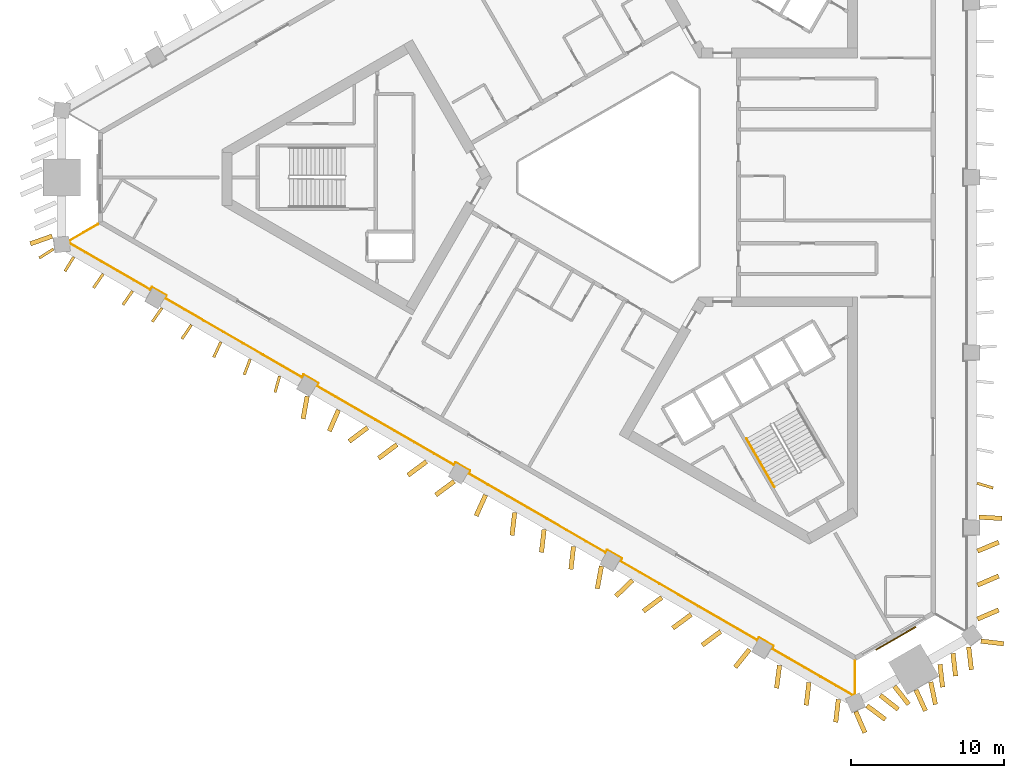
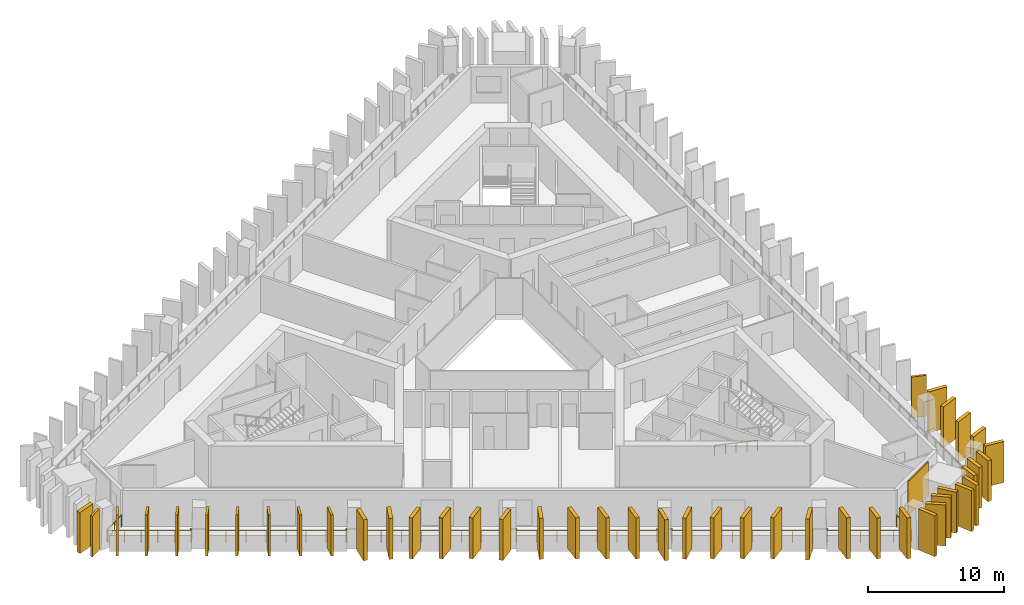
# One storey, part 8 of 11: 44 shading devices, 2 railings, 1 covering.
"""IFC4 building model written with IfcOpenShell, lengths in metres."""

from ifc_helpers import new_model, si_unit, direction, frame, frame_2d, origin, origin_2d, place, context, subcontext, project, spatial, rectangle, circle, extrude, material, layer, layer_set, type_object, element, save


model = new_model("IFC4")

# Units and contexts
model_context = context("Model", 3, precision=1e-05, world=origin(), true_north=direction((0.0, 1.0)))
body_context = subcontext(model_context, "Body", "Model", "MODEL_VIEW")
ifc_project = project(units=[si_unit("LENGTHUNIT", "METRE"), si_unit("AREAUNIT", "SQUARE_METRE"), si_unit("VOLUMEUNIT", "CUBIC_METRE"), si_unit("PLANEANGLEUNIT", "RADIAN"), si_unit("MASSUNIT", "GRAM", prefix="KILO")], contexts=[model_context])

# Site, building, storey
site_placement = place(None, origin())
site = spatial("IfcSite", under=ifc_project, at=site_placement, CompositionType="ELEMENT")
building_placement = place(site_placement, origin())
building = spatial("IfcBuilding", under=site, at=building_placement, Name="Jabali Bay Hotel Tower and Convention Centre", CompositionType="ELEMENT")
storey_placement = place(building_placement, frame((0.0, 0.0, 114.199951171875)))
storey = spatial("IfcBuildingStorey", under=building, at=storey_placement, Name="L27", CompositionType="ELEMENT", Elevation=114.199951171875)

# Railing
ifc_material_1 = material(Name="Glass", Category="glass")
railing_type_1 = type_object("IfcRailingType", Name="Loggia glass guard 1100", PredefinedType="BALUSTRADE", material=ifc_material_1)
railing_1_placement = place(storey_placement, frame((89.70458984375, 48.416259765625, 0.0)))
element("IfcRailing", 1, at=railing_1_placement, inside=storey, type_object=railing_type_1, Name="Loggia glass guard L27", PredefinedType="BALUSTRADE", context=body_context, shape_type="SweptSolid", body=[
    extrude(circle(Radius=0.02490234375, at=origin_2d()), frame((0.0, 0.0, 1.0751953125), z_axis=(0.0, -1.0, 0.0), x_axis=(0.991444861374, 0.0, 0.13052619222)), (0.0, 0.0, 1.0), 2.165283203125),
    extrude(circle(Radius=0.02490234375, at=origin_2d()), frame((0.0, -2.165283203125, 1.0751953125), z_axis=(-0.918657809016, -0.395054211386, 0.0), x_axis=(0.391674467843, -0.91079856411, 0.13052619222)), (0.0, 0.0, 1.0), 0.15576171875),
    extrude(circle(Radius=0.02490234375, at=origin_2d()), frame((-0.14306640625, -2.226806640625, 1.0751953125), z_axis=(-0.866038522036, 0.499977277833, 0.0), x_axis=(-0.495699902911, -0.858629442425, 0.13052619222)), (0.0, 0.0, 1.0), 6.081787109375),
    extrude(circle(Radius=0.02490234375, at=origin_2d()), frame((-5.41015625, 0.81396484375, 1.0751953125), z_axis=(0.500074377092, 0.865982457891, 0.0), x_axis=(-0.858573857916, 0.495796171473, 0.13052619222)), (0.0, 0.0, 1.0), 0.2001953125),
    extrude(circle(Radius=0.02490234375, at=origin_2d()), frame((-5.31005859375, 0.9873046875, 1.0751953125), z_axis=(-0.866104278045, 0.499863360881, 0.0), x_axis=(-0.495586960535, -0.858694635882, 0.13052619222)), (0.0, 0.0, 1.0), 1.099853515625),
    extrude(circle(Radius=0.02490234375, at=origin_2d()), frame((-6.2626953125, 1.537109375, 1.0751953125), z_axis=(-0.499687197852, -0.866205924883, 0.0), x_axis=(0.858795413117, -0.495412304605, 0.13052619222)), (0.0, 0.0, 1.0), 0.199951171875),
    extrude(circle(Radius=0.02490234375, at=origin_2d()), frame((-6.362548828125, 1.364013671875, 1.0751953125), z_axis=(-0.86602205075, 0.500005807581, 0.0), x_axis=(-0.495728188584, -0.858613112052, 0.13052619222)), (0.0, 0.0, 1.0), 10.34228515625),
    extrude(circle(Radius=0.02490234375, at=origin_2d()), frame((-15.319091796875, 6.53515625, 1.0751953125), z_axis=(0.499687197852, 0.866205924883, 0.0), x_axis=(-0.858795413117, 0.495412304605, 0.13052619222)), (0.0, 0.0, 1.0), 0.199951171875),
    extrude(circle(Radius=0.02490234375, at=origin_2d()), frame((-15.21923828125, 6.708251953125, 1.0751953125), z_axis=(-0.866008176907, 0.50002983664, 0.0), x_axis=(-0.495752012071, -0.858599356902, 0.13052619222)), (0.0, 0.0, 1.0), 1.10009765625),
    extrude(circle(Radius=0.02490234375, at=origin_2d()), frame((-16.171875, 7.25830078125, 1.0751953125), z_axis=(-0.499158860599, -0.866510491504, 0.0), x_axis=(0.859097374128, -0.49488848735, 0.13052619222)), (0.0, 0.0, 1.0), 0.199951171875),
    extrude(circle(Radius=0.02490234375, at=origin_2d()), frame((-16.271728515625, 7.0849609375, 1.0751953125), z_axis=(-0.86602205075, 0.500005807581, 0.0), x_axis=(-0.495728188584, -0.858613112052, 0.13052619222)), (0.0, 0.0, 1.0), 10.34228515625),
    extrude(circle(Radius=0.02490234375, at=origin_2d()), frame((-25.228271484375, 12.256103515625, 1.0751953125), z_axis=(0.499687197852, 0.866205924883, 0.0), x_axis=(-0.858795413117, 0.495412304605, 0.13052619222)), (0.0, 0.0, 1.0), 0.199951171875),
    extrude(circle(Radius=0.02490234375, at=origin_2d()), frame((-25.12841796875, 12.42919921875, 1.0751953125), z_axis=(-0.866008176907, 0.50002983664, 0.0), x_axis=(-0.495752012071, -0.858599356902, 0.13052619222)), (0.0, 0.0, 1.0), 1.10009765625),
    extrude(circle(Radius=0.02490234375, at=origin_2d()), frame((-26.0810546875, 12.979248046875, 1.0751953125), z_axis=(-0.499687197852, -0.866205924883, 0.0), x_axis=(0.858795413117, -0.495412304605, 0.13052619222)), (0.0, 0.0, 1.0), 0.199951171875),
    extrude(circle(Radius=0.02490234375, at=origin_2d()), frame((-26.180908203125, 12.80615234375, 1.0751953125), z_axis=(-0.866032272612, 0.499988102653, 0.0), x_axis=(-0.495710635123, -0.858623246465, 0.13052619222)), (0.0, 0.0, 1.0), 10.342041015625),
    extrude(circle(Radius=0.02490234375, at=origin_2d()), frame((-35.137451171875, 17.97705078125, 1.0751953125), z_axis=(0.500074377092, 0.865982457891, 0.0), x_axis=(-0.858573857916, 0.495796171473, 0.13052619222)), (0.0, 0.0, 1.0), 0.2001953125),
    extrude(circle(Radius=0.02490234375, at=origin_2d()), frame((-35.037353515625, 18.150390625, 1.0751953125), z_axis=(-0.866008176907, 0.50002983664, 0.0), x_axis=(-0.495752012071, -0.858599356902, 0.13052619222)), (0.0, 0.0, 1.0), 1.10009765625),
    extrude(circle(Radius=0.02490234375, at=origin_2d()), frame((-35.989990234375, 18.700439453125, 1.0751953125), z_axis=(-0.500074377092, -0.865982457891, 0.0), x_axis=(0.858573857916, -0.495796171473, 0.13052619222)), (0.0, 0.0, 1.0), 0.2001953125),
    extrude(circle(Radius=0.02490234375, at=origin_2d()), frame((-36.090087890625, 18.527099609375, 1.0751953125), z_axis=(-0.86602205075, 0.500005807581, 0.0), x_axis=(-0.495728188584, -0.858613112052, 0.13052619222)), (0.0, 0.0, 1.0), 10.34228515625),
    extrude(circle(Radius=0.02490234375, at=origin_2d()), frame((-45.046630859375, 23.6982421875, 1.0751953125), z_axis=(0.500603037456, 0.865676959893, 0.0), x_axis=(-0.858270973496, 0.496320309074, 0.13052619222)), (0.0, 0.0, 1.0), 0.199951171875),
    extrude(circle(Radius=0.02490234375, at=origin_2d()), frame((-44.946533203125, 23.871337890625, 1.0751953125), z_axis=(-0.866008176907, 0.50002983664, 0.0), x_axis=(-0.495752012071, -0.858599356902, 0.13052619222)), (0.0, 0.0, 1.0), 1.10009765625),
    extrude(circle(Radius=0.02490234375, at=origin_2d()), frame((-45.899169921875, 24.42138671875, 1.0751953125), z_axis=(-0.500603037456, -0.865676959893, 0.0), x_axis=(0.858270973496, -0.496320309074, 0.13052619222)), (0.0, 0.0, 1.0), 0.199951171875),
    extrude(circle(Radius=0.02490234375, at=origin_2d()), frame((-45.999267578125, 24.248291015625, 1.0751953125), z_axis=(-0.866028486751, 0.499994660107, 0.0), x_axis=(-0.495717136477, -0.858619492993, 0.13052619222)), (0.0, 0.0, 1.0), 6.08154296875),
    extrude(circle(Radius=0.02490234375, at=origin_2d()), frame((-51.26611328125, 27.2890625, 1.0751953125), z_axis=(-0.117477392411, 0.993075557182, 0.0), x_axis=(-0.984579658124, -0.116472357034, 0.13052619222)), (0.0, 0.0, 1.0), 0.15576171875),
    extrude(circle(Radius=0.02490234375, at=origin_2d()), frame((-51.284423828125, 27.44384765625, 1.0751953125), z_axis=(0.866027848477, 0.499995765644, 0.0), x_axis=(-0.495718232557, 0.858618860179, 0.13052619222)), (0.0, 0.0, 1.0), 2.1650390625),
    extrude(circle(Radius=0.02001953125, at=origin_2d()), origin(), (0.0, 0.0, 1.0), 1.050048828125),
    extrude(circle(Radius=0.02001953125, at=origin_2d()), frame((0.0, -1.08251953125, 0.0)), (0.0, 0.0, 1.0), 1.050048828125),
    extrude(circle(Radius=0.02001953125, at=origin_2d()), frame((0.0, -2.165283203125, 0.0)), (0.0, 0.0, 1.0), 1.050048828125),
    extrude(circle(Radius=0.02001953125, at=origin_2d()), frame((-0.14306640625, -2.226806640625, 0.0)), (0.0, 0.0, 1.0), 1.050048828125),
    extrude(circle(Radius=0.02001953125, at=origin_2d()), frame((-1.196533203125, -1.61865234375, 0.0)), (0.0, 0.0, 1.0), 1.050048828125),
    extrude(circle(Radius=0.02001953125, at=origin_2d()), frame((-2.25, -1.010498046875, 0.0)), (0.0, 0.0, 1.0), 1.050048828125),
    extrude(circle(Radius=0.02001953125, at=origin_2d()), frame((-3.30322265625, -0.40234375, 0.0)), (0.0, 0.0, 1.0), 1.050048828125),
    extrude(circle(Radius=0.02001953125, at=origin_2d()), frame((-4.356689453125, 0.205810546875, 0.0)), (0.0, 0.0, 1.0), 1.050048828125),
    extrude(circle(Radius=0.02001953125, at=origin_2d()), frame((-5.41015625, 0.81396484375, 0.0)), (0.0, 0.0, 1.0), 1.050048828125),
    extrude(circle(Radius=0.02001953125, at=origin_2d()), frame((-5.31005859375, 0.9873046875, 0.0)), (0.0, 0.0, 1.0), 1.050048828125),
    extrude(circle(Radius=0.02001953125, at=origin_2d()), frame((-6.2626953125, 1.537109375, 0.0)), (0.0, 0.0, 1.0), 1.050048828125),
    extrude(circle(Radius=0.02001953125, at=origin_2d()), frame((-6.362548828125, 1.364013671875, 0.0)), (0.0, 0.0, 1.0), 1.050048828125),
    extrude(circle(Radius=0.02001953125, at=origin_2d()), frame((-7.64208984375, 2.102783203125, 0.0)), (0.0, 0.0, 1.0), 1.050048828125),
    extrude(circle(Radius=0.02001953125, at=origin_2d()), frame((-8.921630859375, 2.841552734375, 0.0)), (0.0, 0.0, 1.0), 1.050048828125),
    extrude(circle(Radius=0.02001953125, at=origin_2d()), frame((-10.201171875, 3.580322265625, 0.0)), (0.0, 0.0, 1.0), 1.050048828125),
    extrude(circle(Radius=0.02001953125, at=origin_2d()), frame((-11.48046875, 4.31884765625, 0.0)), (0.0, 0.0, 1.0), 1.050048828125),
    extrude(circle(Radius=0.02001953125, at=origin_2d()), frame((-12.760009765625, 5.0576171875, 0.0)), (0.0, 0.0, 1.0), 1.050048828125),
    extrude(circle(Radius=0.02001953125, at=origin_2d()), frame((-14.03955078125, 5.79638671875, 0.0)), (0.0, 0.0, 1.0), 1.050048828125),
    extrude(circle(Radius=0.02001953125, at=origin_2d()), frame((-15.319091796875, 6.53515625, 0.0)), (0.0, 0.0, 1.0), 1.050048828125),
    extrude(circle(Radius=0.02001953125, at=origin_2d()), frame((-15.21923828125, 6.708251953125, 0.0)), (0.0, 0.0, 1.0), 1.050048828125),
    extrude(circle(Radius=0.02001953125, at=origin_2d()), frame((-16.171875, 7.25830078125, 0.0)), (0.0, 0.0, 1.0), 1.050048828125),
    extrude(circle(Radius=0.02001953125, at=origin_2d()), frame((-16.271728515625, 7.0849609375, 0.0)), (0.0, 0.0, 1.0), 1.050048828125),
    extrude(circle(Radius=0.02001953125, at=origin_2d()), frame((-17.55126953125, 7.82373046875, 0.0)), (0.0, 0.0, 1.0), 1.050048828125),
    extrude(circle(Radius=0.02001953125, at=origin_2d()), frame((-18.830810546875, 8.5625, 0.0)), (0.0, 0.0, 1.0), 1.050048828125),
    extrude(circle(Radius=0.02001953125, at=origin_2d()), frame((-20.1103515625, 9.30126953125, 0.0)), (0.0, 0.0, 1.0), 1.050048828125),
    extrude(circle(Radius=0.02001953125, at=origin_2d()), frame((-21.3896484375, 10.039794921875, 0.0)), (0.0, 0.0, 1.0), 1.050048828125),
    extrude(circle(Radius=0.02001953125, at=origin_2d()), frame((-22.669189453125, 10.778564453125, 0.0)), (0.0, 0.0, 1.0), 1.050048828125),
    extrude(circle(Radius=0.02001953125, at=origin_2d()), frame((-23.94873046875, 11.517333984375, 0.0)), (0.0, 0.0, 1.0), 1.050048828125),
    extrude(circle(Radius=0.02001953125, at=origin_2d()), frame((-25.228271484375, 12.256103515625, 0.0)), (0.0, 0.0, 1.0), 1.050048828125),
    extrude(circle(Radius=0.02001953125, at=origin_2d()), frame((-25.12841796875, 12.42919921875, 0.0)), (0.0, 0.0, 1.0), 1.050048828125),
    extrude(circle(Radius=0.02001953125, at=origin_2d()), frame((-26.0810546875, 12.979248046875, 0.0)), (0.0, 0.0, 1.0), 1.050048828125),
    extrude(circle(Radius=0.02001953125, at=origin_2d()), frame((-26.180908203125, 12.80615234375, 0.0)), (0.0, 0.0, 1.0), 1.050048828125),
    extrude(circle(Radius=0.02001953125, at=origin_2d()), frame((-27.46044921875, 13.544921875, 0.0)), (0.0, 0.0, 1.0), 1.050048828125),
    extrude(circle(Radius=0.02001953125, at=origin_2d()), frame((-28.739990234375, 14.283447265625, 0.0)), (0.0, 0.0, 1.0), 1.050048828125),
    extrude(circle(Radius=0.02001953125, at=origin_2d()), frame((-30.01953125, 15.022216796875, 0.0)), (0.0, 0.0, 1.0), 1.050048828125),
    extrude(circle(Radius=0.02001953125, at=origin_2d()), frame((-31.298828125, 15.760986328125, 0.0)), (0.0, 0.0, 1.0), 1.050048828125),
    extrude(circle(Radius=0.02001953125, at=origin_2d()), frame((-32.578369140625, 16.499755859375, 0.0)), (0.0, 0.0, 1.0), 1.050048828125),
    extrude(circle(Radius=0.02001953125, at=origin_2d()), frame((-33.85791015625, 17.23828125, 0.0)), (0.0, 0.0, 1.0), 1.050048828125),
    extrude(circle(Radius=0.02001953125, at=origin_2d()), frame((-35.137451171875, 17.97705078125, 0.0)), (0.0, 0.0, 1.0), 1.050048828125),
    extrude(circle(Radius=0.02001953125, at=origin_2d()), frame((-35.037353515625, 18.150390625, 0.0)), (0.0, 0.0, 1.0), 1.050048828125),
    extrude(circle(Radius=0.02001953125, at=origin_2d()), frame((-35.989990234375, 18.700439453125, 0.0)), (0.0, 0.0, 1.0), 1.050048828125),
    extrude(circle(Radius=0.02001953125, at=origin_2d()), frame((-36.090087890625, 18.527099609375, 0.0)), (0.0, 0.0, 1.0), 1.050048828125),
    extrude(circle(Radius=0.02001953125, at=origin_2d()), frame((-37.36962890625, 19.265869140625, 0.0)), (0.0, 0.0, 1.0), 1.050048828125),
    extrude(circle(Radius=0.02001953125, at=origin_2d()), frame((-38.649169921875, 20.004638671875, 0.0)), (0.0, 0.0, 1.0), 1.050048828125),
    extrude(circle(Radius=0.02001953125, at=origin_2d()), frame((-39.9287109375, 20.743408203125, 0.0)), (0.0, 0.0, 1.0), 1.050048828125),
    extrude(circle(Radius=0.02001953125, at=origin_2d()), frame((-41.2080078125, 21.48193359375, 0.0)), (0.0, 0.0, 1.0), 1.050048828125),
    extrude(circle(Radius=0.02001953125, at=origin_2d()), frame((-42.487548828125, 22.220703125, 0.0)), (0.0, 0.0, 1.0), 1.050048828125),
    extrude(circle(Radius=0.02001953125, at=origin_2d()), frame((-43.76708984375, 22.95947265625, 0.0)), (0.0, 0.0, 1.0), 1.050048828125),
    extrude(circle(Radius=0.02001953125, at=origin_2d()), frame((-45.046630859375, 23.6982421875, 0.0)), (0.0, 0.0, 1.0), 1.050048828125),
    extrude(circle(Radius=0.02001953125, at=origin_2d()), frame((-44.946533203125, 23.871337890625, 0.0)), (0.0, 0.0, 1.0), 1.050048828125),
    extrude(circle(Radius=0.02001953125, at=origin_2d()), frame((-45.899169921875, 24.42138671875, 0.0)), (0.0, 0.0, 1.0), 1.050048828125),
    extrude(circle(Radius=0.02001953125, at=origin_2d()), frame((-45.999267578125, 24.248291015625, 0.0)), (0.0, 0.0, 1.0), 1.050048828125),
    extrude(circle(Radius=0.02001953125, at=origin_2d()), frame((-47.052734375, 24.8564453125, 0.0)), (0.0, 0.0, 1.0), 1.050048828125),
    extrude(circle(Radius=0.02001953125, at=origin_2d()), frame((-48.10595703125, 25.464599609375, 0.0)), (0.0, 0.0, 1.0), 1.050048828125),
    extrude(circle(Radius=0.02001953125, at=origin_2d()), frame((-49.159423828125, 26.07275390625, 0.0)), (0.0, 0.0, 1.0), 1.050048828125),
    extrude(circle(Radius=0.02001953125, at=origin_2d()), frame((-50.212646484375, 26.680908203125, 0.0)), (0.0, 0.0, 1.0), 1.050048828125),
    extrude(circle(Radius=0.02001953125, at=origin_2d()), frame((-51.26611328125, 27.2890625, 0.0)), (0.0, 0.0, 1.0), 1.050048828125),
    extrude(circle(Radius=0.02001953125, at=origin_2d()), frame((-51.284423828125, 27.44384765625, 0.0)), (0.0, 0.0, 1.0), 1.050048828125),
    extrude(circle(Radius=0.02001953125, at=origin_2d()), frame((-50.346923828125, 27.985107421875, 0.0)), (0.0, 0.0, 1.0), 1.050048828125),
    extrude(circle(Radius=0.02001953125, at=origin_2d()), frame((-49.409423828125, 28.5263671875, 0.0)), (0.0, 0.0, 1.0), 1.050048828125),
])

# Shading devices
ifc_material_2 = material(Name="Precast concrete C60", Category="concrete")
ifc_layer_1 = layer(ifc_material_2, 0.179931640625)
ifc_layer_set_1 = layer_set([ifc_layer_1], Name="Precast concrete C60")
shading_device_type_1 = type_object("IfcShadingDeviceType", Name="Precast fin 3680 x 1100", PredefinedType="USERDEFINED", material=ifc_layer_set_1)
shading_device_1_placement = place(storey_placement, frame((97.66845703125, 60.039306640625, 0.010009765625), z_axis=(0.0, 0.0, 1.0), x_axis=(0.957593816809, -0.288121644464, 0.0)))
element("IfcShadingDevice", 2, at=shading_device_1_placement, inside=storey, type_object=shading_device_type_1, Name="Fin L27 004", ObjectType="FIN", PredefinedType="USERDEFINED", context=body_context, shape_type="SweptSolid", body=[
    extrude(rectangle(XDim=1.099853515625, YDim=0.179931640625, at=frame_2d((0.5498046875, 0.0))), origin(), (0.0, 0.0, 1.0), 3.679931640625),
])
shading_device_2_placement = place(storey_placement, frame((38.708251953125, 74.80517578125, 0.010009765625), z_axis=(0.0, 0.0, 1.0), x_axis=(-0.521916676464, -0.852996472929, 0.0)))
element("IfcShadingDevice", 3, at=shading_device_2_placement, inside=storey, type_object=shading_device_type_1, Name="Fin L27 070", ObjectType="FIN", PredefinedType="USERDEFINED", context=body_context, shape_type="SweptSolid", body=[
    extrude(rectangle(XDim=1.10009765625, YDim=0.179931640625, at=frame_2d((0.550048828125, 0.0))), origin(), (0.0, 0.0, 1.0), 3.679931640625),
])
shading_device_3_placement = place(storey_placement, frame((40.62646484375, 73.691650390625, 0.010009765625), z_axis=(0.0, 0.0, 1.0), x_axis=(-0.569971472115, -0.821664481997, 0.0)))
element("IfcShadingDevice", 4, at=shading_device_3_placement, inside=storey, type_object=shading_device_type_1, Name="Fin L27 071", ObjectType="FIN", PredefinedType="USERDEFINED", context=body_context, shape_type="SweptSolid", body=[
    extrude(rectangle(XDim=1.099853515625, YDim=0.179931640625, at=frame_2d((0.5498046875, 0.0))), origin(), (0.0, 0.0, 1.0), 3.679931640625),
])
for number, where, z_axis, x_axis, name in (
    (5, (42.547119140625, 72.582763671875, 0.010009765625), (0.0, 0.0, 1.0), (-0.570778360413, -0.821104173223, 0.0), "Fin L27 072"),
    (6, (44.4677734375, 71.4736328125, 0.010009765625), (0.0, 0.0, 1.0), (-0.572747251246, -0.819732020962, 0.0), "Fin L27 073"),
):
    element("IfcShadingDevice", number, at=place(storey_placement, frame(where, z_axis=z_axis, x_axis=x_axis)), inside=storey, type_object=shading_device_type_1, Name=name, ObjectType="FIN", PredefinedType="USERDEFINED", context=body_context, shape_type="SweptSolid", body=[
        extrude(rectangle(XDim=1.10009765625, YDim=0.179931640625, at=frame_2d((0.550048828125, 0.0))), origin(), (0.0, 0.0, 1.0), 3.679931640625),
    ])
for number, where, z_axis, x_axis, name in (
    (7, (46.388916015625, 70.365478515625, 0.010009765625), (0.0, 0.0, 1.0), (-0.56297168832, -0.826476181236, 0.0), "Fin L27 074"),
    (8, (48.308837890625, 69.255126953125, 0.010009765625), (0.0, 0.0, 1.0), (-0.417945910431, -0.908471912584, 0.0), "Fin L27 075"),
):
    element("IfcShadingDevice", number, at=place(storey_placement, frame(where, z_axis=z_axis, x_axis=x_axis)), inside=storey, type_object=shading_device_type_1, Name=name, ObjectType="FIN", PredefinedType="USERDEFINED", context=body_context, shape_type="SweptSolid", body=[
        extrude(rectangle(XDim=1.099853515625, YDim=0.179931640625, at=frame_2d((0.5498046875, 0.0))), origin(), (0.0, 0.0, 1.0), 3.679931640625),
    ])
for number, where, z_axis, x_axis, name in (
    (9, (50.2265625, 68.14111328125, 0.010009765625), (0.0, 0.0, 1.0), (-0.354379953468, -0.935101517793, 0.0), "Fin L27 076"),
    (10, (52.14306640625, 67.025146484375, 0.010009765625), (0.0, 0.0, 1.0), (-0.266533418985, -0.963825677477, 0.0), "Fin L27 077"),
):
    element("IfcShadingDevice", number, at=place(storey_placement, frame(where, z_axis=z_axis, x_axis=x_axis)), inside=storey, type_object=shading_device_type_1, Name=name, ObjectType="FIN", PredefinedType="USERDEFINED", context=body_context, shape_type="SweptSolid", body=[
        extrude(rectangle(XDim=1.10009765625, YDim=0.179931640625, at=frame_2d((0.550048828125, 0.0))), origin(), (0.0, 0.0, 1.0), 3.679931640625),
    ])
shading_device_4_placement = place(storey_placement, frame((37.3876953125, 75.32177734375, 0.010009765625), z_axis=(0.0, 0.0, 1.0), x_axis=(-0.846310667587, -0.532689641282, 0.0)))
element("IfcShadingDevice", 11, at=shading_device_4_placement, inside=storey, type_object=shading_device_type_1, Name="Fin L27 109", ObjectType="FIN", PredefinedType="USERDEFINED", context=body_context, shape_type="SweptSolid", body=[
    extrude(rectangle(XDim=1.099853515625, YDim=0.179931640625, at=frame_2d((0.5498046875, 0.0))), origin(), (0.0, 0.0, 1.0), 3.679931640625),
])
ifc_layer_2 = layer(ifc_material_2, 0.300048828125)
ifc_layer_set_2 = layer_set([ifc_layer_2], Name="Precast concrete C60")
shading_device_type_2 = type_object("IfcShadingDeviceType", Name="Precast fin 3680 x 1500", PredefinedType="USERDEFINED", material=ifc_layer_set_2)
shading_device_5_placement = place(storey_placement, frame((97.701904296875, 51.16796875, 0.010009765625), z_axis=(0.0, 0.0, 1.0), x_axis=(0.918055622467, 0.396451603675, 0.0)))
element("IfcShadingDevice", 12, at=shading_device_5_placement, inside=storey, type_object=shading_device_type_2, Name="Fin L27 000", ObjectType="FIN", PredefinedType="USERDEFINED", context=body_context, shape_type="SweptSolid", body=[
    extrude(rectangle(XDim=1.500244140625, YDim=0.300048828125, at=frame_2d((0.75, 0.0))), origin(), (0.0, 0.0, 1.0), 3.679931640625),
])
for number, where, z_axis, x_axis, name in (
    (13, (97.70166015625, 53.3857421875, 0.010009765625), (0.0, 0.0, 1.0), (0.918951288946, 0.394371054395, 0.0), "Fin L27 001"),
    (14, (97.700439453125, 55.603515625, 0.010009765625), (0.0, 0.0, 1.0), (0.922396489233, 0.386244374263, 0.0), "Fin L27 002"),
    (15, (97.8056640625, 57.821533203125, 0.010009765625), (0.0, 0.0, 1.0), (0.998394559858, -0.056641882431, 0.0), "Fin L27 003"),
):
    element("IfcShadingDevice", number, at=place(storey_placement, frame(where, z_axis=z_axis, x_axis=x_axis)), inside=storey, type_object=shading_device_type_2, Name=name, ObjectType="FIN", PredefinedType="USERDEFINED", context=body_context, shape_type="SweptSolid", body=[
        extrude(rectangle(XDim=1.5, YDim=0.300048828125, at=frame_2d((0.75, 0.0))), origin(), (0.0, 0.0, 1.0), 3.679931640625),
    ])
shading_device_6_placement = place(storey_placement, frame((37.294189453125, 76.162841796875, 0.010009765625), z_axis=(0.0, 0.0, 1.0), x_axis=(-0.943311447036, -0.331908893961, 0.0)))
element("IfcShadingDevice", 16, at=shading_device_6_placement, inside=storey, type_object=shading_device_type_2, Name="Fin L27 069", ObjectType="FIN", PredefinedType="USERDEFINED", context=body_context, shape_type="SweptSolid", body=[
    extrude(rectangle(XDim=1.499755859375, YDim=0.300048828125, at=frame_2d((0.75, 0.0))), origin(), (0.0, 0.0, 1.0), 3.679931640625),
])
for number, where, z_axis, x_axis, name in (
    (17, (53.946044921875, 65.712158203125, 0.010009765625), (0.0, 0.0, 1.0), (-0.178555986679, -0.983929753398, 0.0), "Fin L27 078"),
    (18, (55.9873046875, 64.81201171875, 0.010009765625), (0.0, 0.0, 1.0), (-0.398255913234, -0.917274346951, 0.0), "Fin L27 079"),
    (19, (57.88720703125, 63.666748046875, 0.010009765625), (0.0, 0.0, 1.0), (-0.79966783549, -0.600442630801, 0.0), "Fin L27 080"),
    (20, (59.8076171875, 62.557373046875, 0.010009765625), (0.0, 0.0, 1.0), (-0.802104486506, -0.597183717734, 0.0), "Fin L27 081"),
):
    element("IfcShadingDevice", number, at=place(storey_placement, frame(where, z_axis=z_axis, x_axis=x_axis)), inside=storey, type_object=shading_device_type_2, Name=name, ObjectType="FIN", PredefinedType="USERDEFINED", context=body_context, shape_type="SweptSolid", body=[
        extrude(rectangle(XDim=1.5, YDim=0.300048828125, at=frame_2d((0.75, 0.0))), origin(), (0.0, 0.0, 1.0), 3.679931640625),
    ])
shading_device_7_placement = place(storey_placement, frame((61.728271484375, 61.448486328125, 0.010009765625), z_axis=(0.0, 0.0, 1.0), x_axis=(-0.802648126623, -0.596452835376, 0.0)))
element("IfcShadingDevice", 21, at=shading_device_7_placement, inside=storey, type_object=shading_device_type_2, Name="Fin L27 082", ObjectType="FIN", PredefinedType="USERDEFINED", context=body_context, shape_type="SweptSolid", body=[
    extrude(rectangle(XDim=1.500244140625, YDim=0.300048828125, at=frame_2d((0.75, 0.0))), origin(), (0.0, 0.0, 1.0), 3.679931640625),
])
for number, where, z_axis, x_axis, name in (
    (22, (63.545166015625, 60.15966796875, 0.010009765625), (0.0, 0.0, 1.0), (-0.802803953143, -0.596243081988, 0.0), "Fin L27 083"),
    (23, (65.592041015625, 59.269287109375, 0.010009765625), (0.0, 0.0, 1.0), (-0.412306203741, -0.911045330572, 0.0), "Fin L27 084"),
):
    element("IfcShadingDevice", number, at=place(storey_placement, frame(where, z_axis=z_axis, x_axis=x_axis)), inside=storey, type_object=shading_device_type_2, Name=name, ObjectType="FIN", PredefinedType="USERDEFINED", context=body_context, shape_type="SweptSolid", body=[
        extrude(rectangle(XDim=1.499755859375, YDim=0.300048828125, at=frame_2d((0.75, 0.0))), origin(), (0.0, 0.0, 1.0), 3.679931640625),
    ])
shading_device_8_placement = place(storey_placement, frame((67.490478515625, 58.12158203125, 0.010009765625), z_axis=(0.0, 0.0, 1.0), x_axis=(-0.114914472364, -0.993375389287, 0.0)))
element("IfcShadingDevice", 24, at=shading_device_8_placement, inside=storey, type_object=shading_device_type_2, Name="Fin L27 085", ObjectType="FIN", PredefinedType="USERDEFINED", context=body_context, shape_type="SweptSolid", body=[
    extrude(rectangle(XDim=1.5, YDim=0.300048828125, at=frame_2d((0.75, 0.0))), origin(), (0.0, 0.0, 1.0), 3.679931640625),
])
for number, where, z_axis, x_axis, name in (
    (25, (69.4111328125, 57.0126953125, 0.010009765625), (0.0, 0.0, 1.0), (-0.114895894815, -0.993377538177, 0.0), "Fin L27 086"),
    (26, (71.331787109375, 55.90380859375, 0.010009765625), (0.0, 0.0, 1.0), (-0.114735296621, -0.993396100108, 0.0), "Fin L27 087"),
):
    element("IfcShadingDevice", number, at=place(storey_placement, frame(where, z_axis=z_axis, x_axis=x_axis)), inside=storey, type_object=shading_device_type_2, Name=name, ObjectType="FIN", PredefinedType="USERDEFINED", context=body_context, shape_type="SweptSolid", body=[
        extrude(rectangle(XDim=1.500244140625, YDim=0.300048828125, at=frame_2d((0.75, 0.0))), origin(), (0.0, 0.0, 1.0), 3.679931640625),
    ])
for number, where, z_axis, x_axis, name in (
    (27, (73.1533203125, 54.623046875, 0.010009765625), (0.0, 0.0, 1.0), (-0.179529949769, -0.983752508071, 0.0), "Fin L27 088"),
    (28, (75.18212890625, 53.701171875, 0.010009765625), (0.0, 0.0, 1.0), (-0.721683233912, -0.692223453727, 0.0), "Fin L27 089"),
    (29, (77.093994140625, 52.576904296875, 0.010009765625), (0.0, 0.0, 1.0), (-0.802861809091, -0.596165174681, 0.0), "Fin L27 090"),
    (30, (79.0146484375, 51.468017578125, 0.010009765625), (0.0, 0.0, 1.0), (-0.802861809091, -0.596165174681, 0.0), "Fin L27 091"),
    (31, (80.935546875, 50.359130859375, 0.010009765625), (0.0, 0.0, 1.0), (-0.802861809091, -0.596165174681, 0.0), "Fin L27 092"),
    (32, (82.820556640625, 49.1884765625, 0.010009765625), (0.0, 0.0, 1.0), (-0.624556085974, -0.780979958432, 0.0), "Fin L27 093"),
    (33, (84.777587890625, 48.142578125, 0.010009765625), (0.0, 0.0, 1.0), (-0.126798861516, -0.991928449395, 0.0), "Fin L27 094"),
    (34, (86.697509765625, 47.0322265625, 0.010009765625), (0.0, 0.0, 1.0), (-0.114753848896, -0.993393957181, 0.0), "Fin L27 095"),
    (35, (88.618408203125, 45.92333984375, 0.010009765625), (0.0, 0.0, 1.0), (-0.114914472364, -0.993375389287, 0.0), "Fin L27 096"),
    (36, (90.48291015625, 45.508544921875, 0.010009765625), (0.0, 0.0, 1.0), (0.802939709728, -0.596060250765, 0.0), "Fin L27 097"),
    (37, (91.349853515625, 46.199462890625, 0.010009765625), (0.0, 0.0, 1.0), (0.784932753778, -0.619580964884, 0.0), "Fin L27 098"),
):
    element("IfcShadingDevice", number, at=place(storey_placement, frame(where, z_axis=z_axis, x_axis=x_axis)), inside=storey, type_object=shading_device_type_2, Name=name, ObjectType="FIN", PredefinedType="USERDEFINED", context=body_context, shape_type="SweptSolid", body=[
        extrude(rectangle(XDim=1.5, YDim=0.300048828125, at=frame_2d((0.75, 0.0))), origin(), (0.0, 0.0, 1.0), 3.679931640625),
    ])
shading_device_9_placement = place(storey_placement, frame((92.282470703125, 46.77685546875, 0.010009765625), z_axis=(0.0, 0.0, 1.0), x_axis=(0.620018939206, -0.784586843521, 0.0)))
element("IfcShadingDevice", 38, at=shading_device_9_placement, inside=storey, type_object=shading_device_type_2, Name="Fin L27 099", ObjectType="FIN", PredefinedType="USERDEFINED", context=body_context, shape_type="SweptSolid", body=[
    extrude(rectangle(XDim=1.499755859375, YDim=0.300048828125, at=frame_2d((0.75, 0.0))), origin(), (0.0, 0.0, 1.0), 3.679931640625),
])
shading_device_10_placement = place(storey_placement, frame((93.684326171875, 46.541259765625, 0.010009765625), z_axis=(0.0, 0.0, 1.0), x_axis=(0.415359692407, -0.909657257391, 0.0)))
element("IfcShadingDevice", 39, at=shading_device_10_placement, inside=storey, type_object=shading_device_type_2, Name="Fin L27 100", ObjectType="FIN", PredefinedType="USERDEFINED", context=body_context, shape_type="SweptSolid", body=[
    extrude(rectangle(XDim=1.5, YDim=0.300048828125, at=frame_2d((0.75, 0.0))), origin(), (0.0, 0.0, 1.0), 3.679931640625),
])
shading_device_11_placement = place(storey_placement, frame((94.650146484375, 47.061279296875, 0.010009765625), z_axis=(0.0, 0.0, 1.0), x_axis=(0.20493568612, -0.978775441332, 0.0)))
element("IfcShadingDevice", 40, at=shading_device_11_placement, inside=storey, type_object=shading_device_type_2, Name="Fin L27 101", ObjectType="FIN", PredefinedType="USERDEFINED", context=body_context, shape_type="SweptSolid", body=[
    extrude(rectangle(XDim=1.499755859375, YDim=0.300048828125, at=frame_2d((0.75, 0.0))), origin(), (0.0, 0.0, 1.0), 3.679931640625),
])
for number, where, z_axis, x_axis, name in (
    (41, (95.25146484375, 48.212158203125, 0.010009765625), (0.0, 0.0, 1.0), (0.114914472364, -0.993375389287, 0.0), "Fin L27 102"),
    (42, (96.09912109375, 48.936767578125, 0.010009765625), (0.0, 0.0, 1.0), (0.114753848896, -0.993393957181, 0.0), "Fin L27 103"),
    (43, (97.12890625, 49.345703125, 0.010009765625), (0.0, 0.0, 1.0), (0.114914472364, -0.993375389287, 0.0), "Fin L27 104"),
    (44, (97.923828125, 49.7275390625, 0.010009765625), (0.0, 0.0, 1.0), (0.993338177678, -0.115235692249, 0.0), "Fin L27 105"),
    (45, (89.754638671875, 45.12939453125, 0.010009765625), (0.0, 0.0, 1.0), (0.39731507574, -0.917682260148, 0.0), "Fin L27 110"),
):
    element("IfcShadingDevice", number, at=place(storey_placement, frame(where, z_axis=z_axis, x_axis=x_axis)), inside=storey, type_object=shading_device_type_2, Name=name, ObjectType="FIN", PredefinedType="USERDEFINED", context=body_context, shape_type="SweptSolid", body=[
        extrude(rectangle(XDim=1.5, YDim=0.300048828125, at=frame_2d((0.75, 0.0))), origin(), (0.0, 0.0, 1.0), 3.679931640625),
    ])

# Covering
ifc_material_3 = material(Name="Precast concrete C40/50", Category="concrete")
ifc_layer_3 = layer(ifc_material_3, 0.080078125)
ifc_layer_set_3 = layer_set([ifc_layer_3], Name="Precast concrete C40/50")
covering_type = type_object("IfcCoveringType", Name="Relief panel 3000 x 3050", PredefinedType="CLADDING", material=ifc_layer_set_3)
covering_placement = place(storey_placement, frame((92.372314453125, 49.91015625, 0.10009765625), z_axis=(0.0, 0.0, 1.0), x_axis=(-0.86602540539, -0.499999997219, 0.0)))
element("IfcCovering", 46, at=covering_placement, inside=storey, type_object=covering_type, Name="Relief panel L27", PredefinedType="CLADDING", context=body_context, shape_type="SweptSolid", body=[
    extrude(rectangle(XDim=3.0, YDim=0.080078125, at=origin_2d()), origin(), (0.0, 0.0, 1.0), 3.050048828125),
])

# Railing
ifc_material_4 = material(Name="Steel Q355B", Category="steel")
railing_type_2 = type_object("IfcRailingType", Name="Stair handrail 900", PredefinedType="HANDRAIL", material=ifc_material_4)
railing_2_placement = place(storey_placement, frame((82.622802734375, 62.94677734375, 0.132080078125)))
element("IfcRailing", 47, at=railing_2_placement, inside=storey, type_object=railing_type_2, Name="L27 ST3 stair handrail 1", PredefinedType="HANDRAIL", context=body_context, shape_type="SweptSolid", body=[
    extrude(circle(Radius=0.02392578125, at=origin_2d()), frame((0.0, 0.0, 0.8759765625), z_axis=(0.45217862506, -0.783169739339, 0.426825081763), x_axis=(0.866018046521, 0.500012742938, 0.0)), (0.0, 0.0, 1.0), 4.025146484375),
    extrude(circle(Radius=0.02099609375, at=origin_2d()), origin(), (0.0, 0.0, 1.0), 0.851806640625),
    extrude(circle(Radius=0.02099609375, at=origin_2d()), frame((0.455078125, -0.7880859375, 0.429443359375)), (0.0, 0.0, 1.0), 0.851806640625),
    extrude(circle(Radius=0.02099609375, at=origin_2d()), frame((0.91015625, -1.576171875, 0.85888671875)), (0.0, 0.0, 1.0), 0.851806640625),
    extrude(circle(Radius=0.02099609375, at=origin_2d()), frame((1.364990234375, -2.3642578125, 1.28857421875)), (0.0, 0.0, 1.0), 0.851806640625),
    extrude(circle(Radius=0.02099609375, at=origin_2d()), frame((1.820068359375, -3.15234375, 1.718017578125)), (0.0, 0.0, 1.0), 0.851806640625),
])

save(model, "model.ifc")
